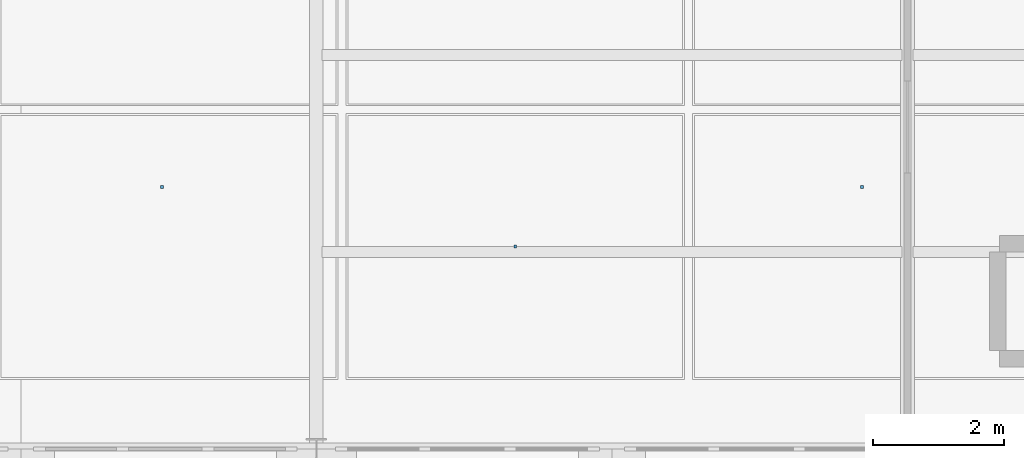
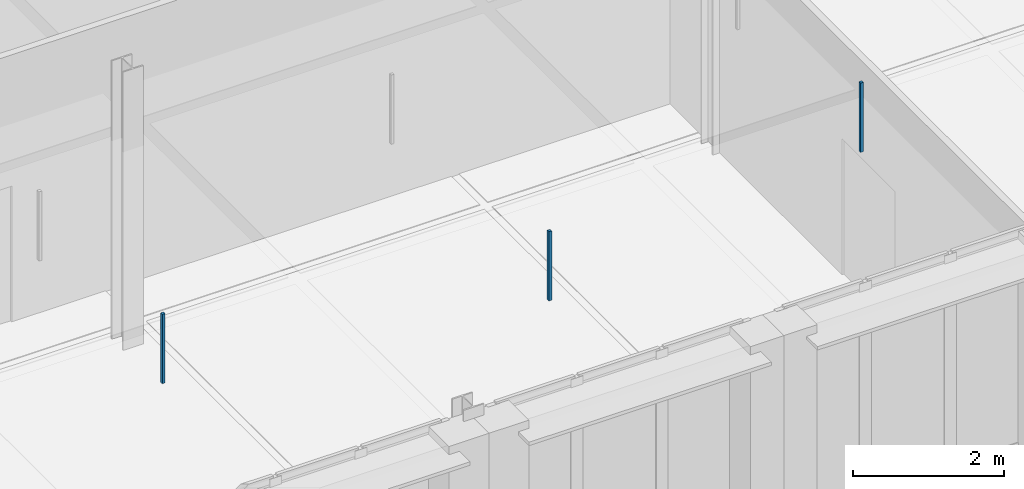
# One storey, part 109 of 140: 3 discrete accessories.
"""IFC4 building model written with IfcOpenShell, lengths in metres."""

from ifc_helpers import new_model, si_unit, direction, frame, origin, origin_2d, place, context, subcontext, project, spatial, rectangle, extrude, material, type_object, element, save


model = new_model("IFC4")

# Units and contexts
model_context = context("Model", 3, precision=1e-05, world=origin(), true_north=direction((0.0, 1.0)))
body_context = subcontext(model_context, "Body", "Model", "MODEL_VIEW")
ifc_project = project(units=[si_unit("LENGTHUNIT", "METRE"), si_unit("AREAUNIT", "SQUARE_METRE"), si_unit("VOLUMEUNIT", "CUBIC_METRE"), si_unit("PLANEANGLEUNIT", "RADIAN"), si_unit("MASSUNIT", "GRAM", prefix="KILO"), si_unit("THERMODYNAMICTEMPERATUREUNIT", "KELVIN"), si_unit("POWERUNIT", "WATT")], contexts=[model_context])

# Site, building, storey
site_placement = place(None, origin())
site = spatial("IfcSite", under=ifc_project, at=site_placement, CompositionType="ELEMENT")
building_placement = place(site_placement, origin())
building = spatial("IfcBuilding", under=site, at=building_placement, Name="Tallowbark Science Centre", CompositionType="ELEMENT")
storey_placement = place(building_placement, frame((0.0, 0.0, 9.89990234375)))
storey = spatial("IfcBuildingStorey", under=building, at=storey_placement, Name="L02", CompositionType="ELEMENT", Elevation=9.89990234375)

# Discrete accessories
ifc_material = material(Name="Galvanised Steel Grade C350L0 (350 MPa)", Category="steel")
discrete_accessory_type = type_object("IfcDiscreteAccessoryType", Name="ACC-CLG-HNG", PredefinedType="BRACKET", material=ifc_material)
for number, where, z_axis, x_axis, name in (
    (1, (87.650390625, 75.98828125, 3.205078125), (0.0, 0.0, 1.0), (1.0, 0.0, 0.0), "Ceiling Hanger Bracket L02-881"),
    (2, (93.02783203125, 75.083251953125, 3.205078125), (0.0, 0.0, 1.0), (1.0, 0.0, 0.0), "Ceiling Hanger Bracket L02-887"),
    (3, (98.3056640625, 75.98828125, 3.205078125), (0.0, 0.0, 1.0), (1.0, 0.0, 0.0), "Ceiling Hanger Bracket L02-893"),
):
    element("IfcDiscreteAccessory", number, at=place(storey_placement, frame(where, z_axis=z_axis, x_axis=x_axis)), inside=storey, type_object=discrete_accessory_type, Name=name, PredefinedType="BRACKET", context=body_context, shape_type="SweptSolid", body=[
        extrude(rectangle(XDim=0.044921875, YDim=0.044921875, at=origin_2d()), origin(), (0.0, 0.0, 1.0), 1.117919921875),
    ])

save(model, "model.ifc")
